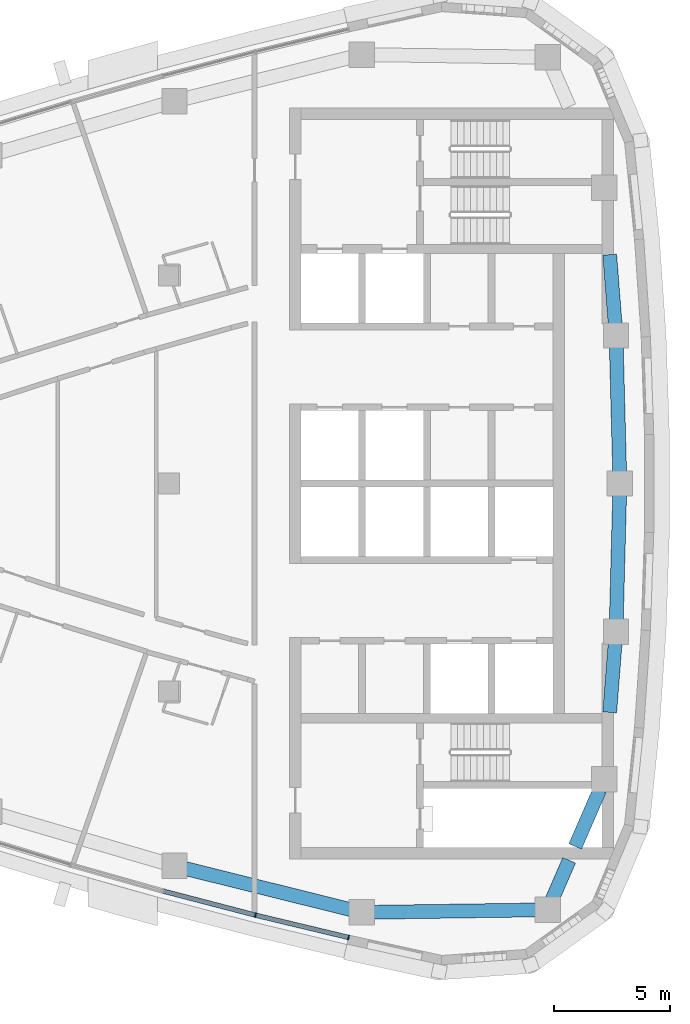
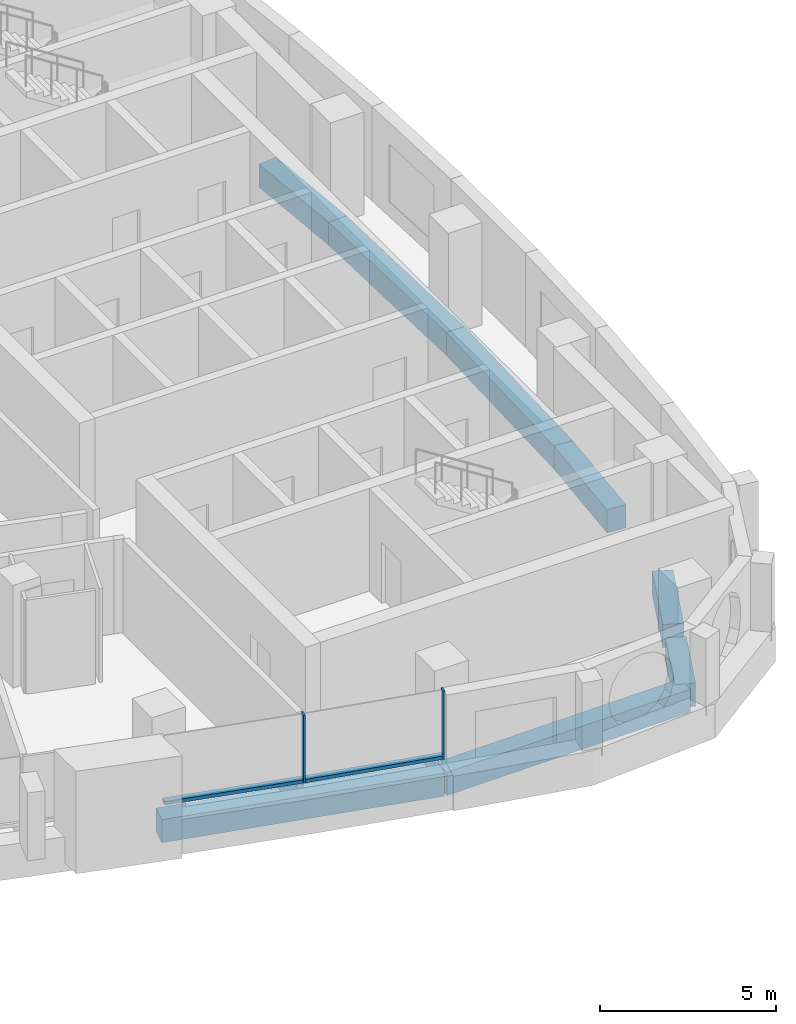
# One storey, part 4 of 15: 8 beams, 4 members, 1 element without a shape of its own.
"""IFC4 building model written with IfcOpenShell, lengths in metres."""

from ifc_helpers import new_model, si_unit, direction, frame, origin, origin_2d, place, context, subcontext, project, spatial, rectangle, extrude, material, layer, layer_set, material_profile, profile_set, type_object, element, aggregate, save


model = new_model("IFC4")

# Units and contexts
model_context = context("Model", 3, precision=1e-05, world=origin(), true_north=direction((0.0, 1.0)))
body_context = subcontext(model_context, "Body", "Model", "MODEL_VIEW")
ifc_project = project(units=[si_unit("LENGTHUNIT", "METRE"), si_unit("AREAUNIT", "SQUARE_METRE"), si_unit("VOLUMEUNIT", "CUBIC_METRE"), si_unit("PLANEANGLEUNIT", "RADIAN"), si_unit("MASSUNIT", "GRAM", prefix="KILO")], contexts=[model_context])

# Site, building, storey
site_placement = place(None, origin())
site = spatial("IfcSite", under=ifc_project, at=site_placement, CompositionType="ELEMENT")
building_placement = place(site_placement, origin())
building = spatial("IfcBuilding", under=site, at=building_placement, Name="Ostrand Prow Hotel Tower", CompositionType="ELEMENT")
storey_placement = place(building_placement, frame((0.0, 0.0, 292.75)))
storey = spatial("IfcBuildingStorey", under=building, at=storey_placement, Name="L74", CompositionType="ELEMENT", Elevation=292.75)

# Beams
ifc_material_1 = material(Name="Concrete C50/60", Category="concrete")
ifc_material_profile_1 = material_profile(ifc_material_1, rectangle(XDim=0.60009765625, YDim=0.800048828125, at=origin_2d()), Name="RC 600x800")
ifc_profile_set_1 = profile_set([ifc_material_profile_1], Name="Concrete C50/60")
beam_type = type_object("IfcBeamType", Name="Edge beam 600x800 C50/60", PredefinedType="SPANDREL", material=ifc_profile_set_1)
beam_1_placement = place(storey_placement, frame((45.234619140625, -16.53857421875, -0.699951171875), z_axis=(0.970456465292, -0.241276291775, 0.0), x_axis=(0.241276291775, 0.970456465292, 0.0)))
element("IfcBeam", 1, at=beam_1_placement, inside=storey, type_object=beam_type, Name="Edge beam S5-S6", PredefinedType="SPANDREL", context=body_context, shape_type="SweptSolid", body=[
    extrude(rectangle(XDim=0.60009765625, YDim=0.800048828125, at=origin_2d()), origin(), (0.0, 0.0, 1.0), 8.348876953125),
])
beam_2_placement = place(storey_placement, frame((53.3369140625, -18.552978515625, -0.699951171875), z_axis=(0.999900689486, 0.014092947356, 0.0), x_axis=(-0.014092947356, 0.999900689486, 0.0)))
element("IfcBeam", 2, at=beam_2_placement, inside=storey, type_object=beam_type, Name="Edge beam S6-SE", PredefinedType="SPANDREL", context=body_context, shape_type="SweptSolid", body=[
    extrude(rectangle(XDim=0.60009765625, YDim=0.800048828125, at=origin_2d()), origin(), (0.0, 0.0, 1.0), 8.0380859375),
])
beam_3_placement = place(storey_placement, frame((61.374267578125, -18.439697265625, -0.699951171875), z_axis=(0.398863844187, 0.91701016014, 0.0), x_axis=(-0.91701016014, 0.398863844187, 0.0)))
element("IfcBeam", 3, at=beam_3_placement, inside=storey, type_object=beam_type, Name="Edge beam SE-B1", PredefinedType="SPANDREL", context=body_context, shape_type="SweptSolid", body=[
    extrude(rectangle(XDim=0.60009765625, YDim=0.800048828125, at=origin_2d()), origin(), (0.0, 0.0, 1.0), 2.333251953125),
])
beam_4_placement = place(storey_placement, frame((62.56591796875, -15.699951171875, -0.699951171875), z_axis=(0.398799624102, 0.917038090712, 0.0), x_axis=(-0.917038090712, 0.398799624102, 0.0)))
element("IfcBeam", 4, at=beam_4_placement, inside=storey, type_object=beam_type, Name="Edge beam SE-B1", PredefinedType="SPANDREL", context=body_context, shape_type="SweptSolid", body=[
    extrude(rectangle(XDim=0.60009765625, YDim=0.800048828125, at=origin_2d()), origin(), (0.0, 0.0, 1.0), 2.671630859375),
])
beam_5_placement = place(storey_placement, frame((64.058349609375, -9.89990234375, -0.699951171875), z_axis=(0.078240080308, 0.996934546414, 0.0), x_axis=(-0.996934546414, 0.078240080308, 0.0)))
element("IfcBeam", 5, at=beam_5_placement, inside=storey, type_object=beam_type, Name="Edge beam B1-B2", PredefinedType="SPANDREL", context=body_context, shape_type="SweptSolid", body=[
    extrude(rectangle(XDim=0.60009765625, YDim=0.800048828125, at=origin_2d()), origin(), (0.0, 0.0, 1.0), 3.50732421875),
])
for number, where, z_axis, x_axis, name in (
    (6, (64.332763671875, -6.4033203125, -0.699951171875), (0.026108223987, 0.999659122221, 0.0), (-0.999659122221, 0.026108223987, 0.0), "Edge beam B2-B3"),
    (7, (64.5, 0.0, -0.699951171875), (-0.026108223987, 0.999659122221, 0.0), (-0.999659122221, -0.026108223987, 0.0), "Edge beam B3-B4"),
):
    element("IfcBeam", number, at=place(storey_placement, frame(where, z_axis=z_axis, x_axis=x_axis)), inside=storey, type_object=beam_type, Name=name, PredefinedType="SPANDREL", context=body_context, shape_type="SweptSolid", body=[
        extrude(rectangle(XDim=0.60009765625, YDim=0.800048828125, at=origin_2d()), origin(), (0.0, 0.0, 1.0), 6.405517578125),
    ])
beam_6_placement = place(storey_placement, frame((64.332763671875, 6.4033203125, -0.699951171875), z_axis=(-0.078240080308, 0.996934546414, 0.0), x_axis=(-0.996934546414, -0.078240080308, 0.0)))
element("IfcBeam", 8, at=beam_6_placement, inside=storey, type_object=beam_type, Name="Edge beam B4-B5", PredefinedType="SPANDREL", context=body_context, shape_type="SweptSolid", body=[
    extrude(rectangle(XDim=0.60009765625, YDim=0.800048828125, at=origin_2d()), origin(), (0.0, 0.0, 1.0), 3.50732421875),
])

# Curtain wall, members
ifc_material_2 = material(Name="Insulated glass in bronze anodised frame", Category="glass")
ifc_layer = layer(ifc_material_2, 0.199951171875)
ifc_layer_set = layer_set([ifc_layer], Name="Insulated glass in bronze anodised frame")
curtain_wall_type = type_object("IfcCurtainWallType", Name="Strip curtain wall, fritted glass over bronze spandrel", PredefinedType="NOTDEFINED", material=ifc_layer_set)
curtain_wall_placement = place(storey_placement, origin())
curtain_wall = element("IfcCurtainWall", 9, at=curtain_wall_placement, inside=storey, type_object=curtain_wall_type, Name="CW1 run CWS5", PredefinedType="NOTDEFINED")
ifc_material_3 = material(Name="Bronze anodised aluminium", Category="aluminium")
ifc_material_profile_2 = material_profile(ifc_material_3, rectangle(XDim=0.199951171875, YDim=0.06005859375, at=origin_2d()), Name="Mullion 60x200 bronze anodised aluminium")
ifc_profile_set_2 = profile_set([ifc_material_profile_2], Name="Bronze anodised aluminium")
member_type_1 = type_object("IfcMemberType", Name="Mullion 60x200 bronze anodised aluminium", PredefinedType="MULLION", material=ifc_profile_set_2)
member_1_placement = place(storey_placement, frame((48.734619140625, -18.6708984375, 0.89990234375), z_axis=(0.0, 0.0, 1.0), x_axis=(0.232746096028, 0.972537533869, 0.0)))
member_1 = element("IfcMember", 10, at=member_1_placement, type_object=member_type_1, Name="CW1 mullion 2", PredefinedType="MULLION", context=body_context, shape_type="SweptSolid", body=[
    extrude(rectangle(XDim=0.199951171875, YDim=0.06005859375, at=origin_2d()), origin(), (0.0, 0.0, 1.0), 2.35009765625),
])
member_2_placement = place(storey_placement, frame((52.7607421875, -19.634521484375, 0.89990234375), z_axis=(0.0, 0.0, 1.0), x_axis=(0.232746096028, 0.972537533869, 0.0)))
member_2 = element("IfcMember", 11, at=member_2_placement, type_object=member_type_1, Name="CW1 mullion 3", PredefinedType="MULLION", context=body_context, shape_type="SweptSolid", body=[
    extrude(rectangle(XDim=0.199951171875, YDim=0.06005859375, at=origin_2d()), origin(), (0.0, 0.0, 1.0), 2.35009765625),
])
ifc_material_4 = material(Name="Bronze anodised aluminium", Category="aluminium")
ifc_material_profile_3 = material_profile(ifc_material_4, rectangle(XDim=0.199951171875, YDim=0.1201171875, at=origin_2d()), Name="Transom 120x200 bronze anodised aluminium")
ifc_profile_set_3 = profile_set([ifc_material_profile_3], Name="Bronze anodised aluminium")
member_type_2 = type_object("IfcMemberType", Name="Transom 120x200 bronze anodised aluminium", PredefinedType="USERDEFINED", material=ifc_profile_set_3)
member_3_placement = place(storey_placement, frame((44.7578125, -17.63427734375, 0.9599609375), z_axis=(0.967664917891, -0.252239185461, 0.0), x_axis=(0.252239185461, 0.967664917891, 0.0)))
member_3 = element("IfcMember", 12, at=member_3_placement, type_object=member_type_2, Name="CW1 transom 1.1", ObjectType="TRANSOM", PredefinedType="USERDEFINED", context=body_context, shape_type="SweptSolid", body=[
    extrude(rectangle(XDim=0.199951171875, YDim=0.1201171875, at=origin_2d()), origin(), (0.0, 0.0, 1.0), 4.07958984375),
])
member_4_placement = place(storey_placement, frame((48.763671875, -18.677978515625, 0.9599609375), z_axis=(0.972542980558, -0.232723335675, 0.0), x_axis=(0.232723335675, 0.972542980558, 0.0)))
member_4 = element("IfcMember", 13, at=member_4_placement, type_object=member_type_2, Name="CW1 transom 2.1", ObjectType="TRANSOM", PredefinedType="USERDEFINED", context=body_context, shape_type="SweptSolid", body=[
    extrude(rectangle(XDim=0.199951171875, YDim=0.1201171875, at=origin_2d()), origin(), (0.0, 0.0, 1.0), 4.079833984375),
])
aggregate(curtain_wall, [member_1, member_2, member_3, member_4])

save(model, "model.ifc")
